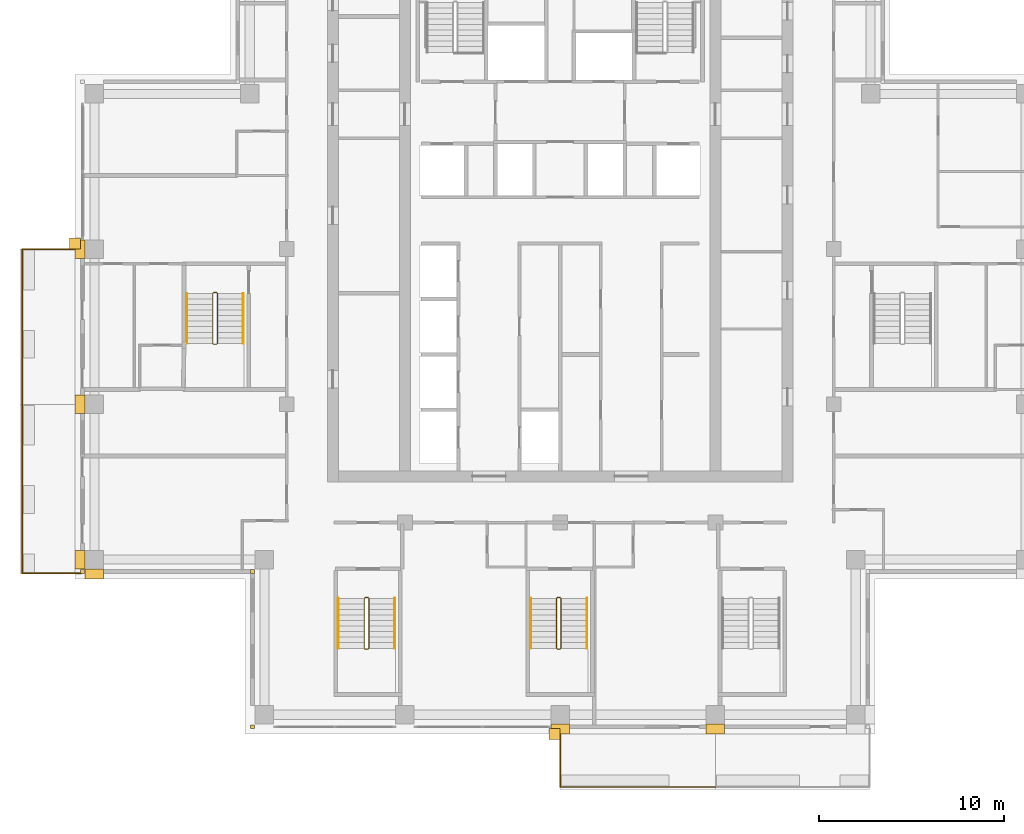
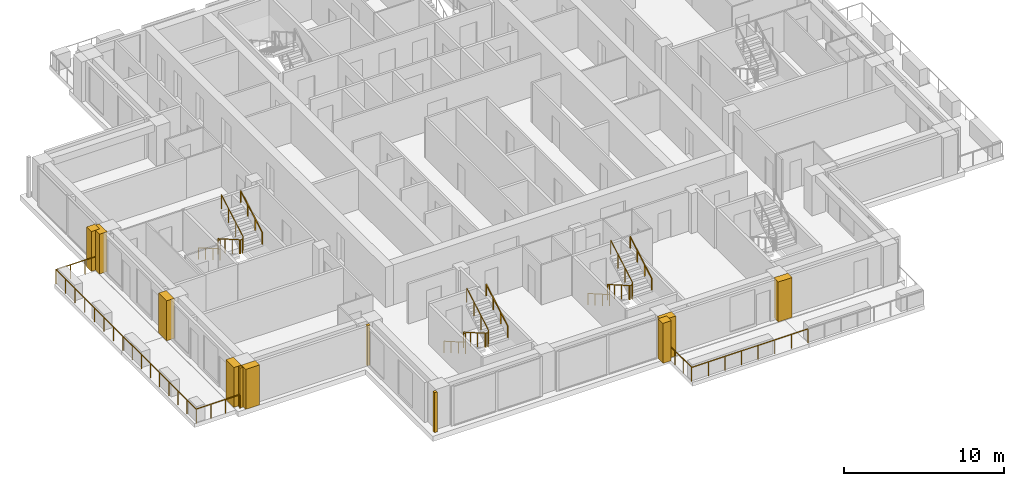
# One storey, part 15 of 17: 12 railings, 11 coverings.
"""IFC4 building model written with IfcOpenShell, lengths in metres."""

from ifc_helpers import new_model, si_unit, direction, frame, origin, origin_2d, place, context, subcontext, project, spatial, polyline, rectangle, outline, extrude, material, type_object, element, save


model = new_model("IFC4")

# Units and contexts
model_context = context("Model", 3, precision=1e-05, world=origin(), true_north=direction((0.0, 1.0)))
body_context = subcontext(model_context, "Body", "Model", "MODEL_VIEW")
ifc_project = project(units=[si_unit("LENGTHUNIT", "METRE"), si_unit("AREAUNIT", "SQUARE_METRE"), si_unit("VOLUMEUNIT", "CUBIC_METRE"), si_unit("PLANEANGLEUNIT", "RADIAN"), si_unit("MASSUNIT", "GRAM", prefix="KILO")], contexts=[model_context])

# Site, building, storey
site_placement = place(None, origin())
site = spatial("IfcSite", under=ifc_project, at=site_placement, CompositionType="ELEMENT")
building_placement = place(site_placement, origin())
building = spatial("IfcBuilding", under=site, at=building_placement, Name="Vermilion Ogive Tower", CompositionType="ELEMENT")
storey_placement = place(building_placement, frame((0.0, 0.0, 203.14990234375)))
storey = spatial("IfcBuildingStorey", under=building, at=storey_placement, Name="L53", CompositionType="ELEMENT", Elevation=203.14990234375)

# Railings
ifc_material_1 = material(Name="Stainless steel and glass", Category="steel")
railing_type_1 = type_object("IfcRailingType", Name="Balcony guard", PredefinedType="GUARDRAIL", material=ifc_material_1)
railing_1_placement = place(storey_placement, frame((0.0, -21.75, -0.039794921875)))
element("IfcRailing", 1, at=railing_1_placement, inside=storey, type_object=railing_type_1, Name="Guard S03", PredefinedType="GUARDRAIL", context=body_context, shape_type="SweptSolid", body=[
    extrude(rectangle(XDim=0.048095703125, YDim=0.048095703125, at=origin_2d()), frame((0.0, 0.0, 1.076171875), z_axis=(0.0, -1.0, 0.0), x_axis=(1.0, 0.0, 0.0)), (0.0, 0.0, 1.0), 3.159912109375),
    extrude(rectangle(XDim=0.048095703125, YDim=0.048095703125, at=origin_2d()), frame((0.0, -3.159912109375, 1.076171875), z_axis=(1.0, 0.0, 0.0), x_axis=(0.0, 1.0, 0.0)), (0.0, 0.0, 1.0), 8.39990234375),
    extrude(rectangle(XDim=0.0419921875, YDim=0.0419921875, at=origin_2d()), origin(), (0.0, 0.0, 1.0), 1.052001953125),
    extrude(rectangle(XDim=0.0419921875, YDim=0.0419921875, at=origin_2d()), frame((0.0, -1.05322265625, 0.0)), (0.0, 0.0, 1.0), 1.052001953125),
    extrude(rectangle(XDim=0.0419921875, YDim=0.0419921875, at=origin_2d()), frame((0.0, -2.106689453125, 0.0)), (0.0, 0.0, 1.0), 1.052001953125),
    extrude(rectangle(XDim=0.0419921875, YDim=0.0419921875, at=origin_2d()), frame((0.0, -3.159912109375, 0.0)), (0.0, 0.0, 1.0), 1.052001953125),
    extrude(rectangle(XDim=0.0419921875, YDim=0.0419921875, at=origin_2d()), frame((1.199951171875, -3.159912109375, 0.0)), (0.0, 0.0, 1.0), 1.052001953125),
    extrude(rectangle(XDim=0.0419921875, YDim=0.0419921875, at=origin_2d()), frame((2.39990234375, -3.159912109375, 0.0)), (0.0, 0.0, 1.0), 1.052001953125),
    extrude(rectangle(XDim=0.0419921875, YDim=0.0419921875, at=origin_2d()), frame((3.599853515625, -3.159912109375, 0.0)), (0.0, 0.0, 1.0), 1.052001953125),
    extrude(rectangle(XDim=0.0419921875, YDim=0.0419921875, at=origin_2d()), frame((4.800048828125, -3.159912109375, 0.0)), (0.0, 0.0, 1.0), 1.052001953125),
    extrude(rectangle(XDim=0.0419921875, YDim=0.0419921875, at=origin_2d()), frame((6.0, -3.159912109375, 0.0)), (0.0, 0.0, 1.0), 1.052001953125),
    extrude(rectangle(XDim=0.0419921875, YDim=0.0419921875, at=origin_2d()), frame((7.199951171875, -3.159912109375, 0.0)), (0.0, 0.0, 1.0), 1.052001953125),
    extrude(rectangle(XDim=0.0419921875, YDim=0.0419921875, at=origin_2d()), frame((8.39990234375, -3.159912109375, 0.0)), (0.0, 0.0, 1.0), 1.052001953125),
])
railing_2_placement = place(storey_placement, frame((-25.949951171875, 4.199951171875, -0.039794921875)))
element("IfcRailing", 2, at=railing_2_placement, inside=storey, type_object=railing_type_1, Name="Guard W02", PredefinedType="GUARDRAIL", context=body_context, shape_type="SweptSolid", body=[
    extrude(rectangle(XDim=0.048095703125, YDim=0.048095703125, at=origin_2d()), frame((0.0, 0.0, 1.076171875), z_axis=(-1.0, 0.0, 0.0), x_axis=(0.0, -1.0, 0.0)), (0.0, 0.0, 1.0), 3.16015625),
    extrude(rectangle(XDim=0.048095703125, YDim=0.048095703125, at=origin_2d()), frame((-3.16015625, 0.0, 1.076171875), z_axis=(0.0, -1.0, 0.0), x_axis=(1.0, 0.0, 0.0)), (0.0, 0.0, 1.0), 8.39990234375),
    extrude(rectangle(XDim=0.0419921875, YDim=0.0419921875, at=origin_2d()), origin(), (0.0, 0.0, 1.0), 1.052001953125),
    extrude(rectangle(XDim=0.0419921875, YDim=0.0419921875, at=origin_2d()), frame((-1.053466796875, 0.0, 0.0)), (0.0, 0.0, 1.0), 1.052001953125),
    extrude(rectangle(XDim=0.0419921875, YDim=0.0419921875, at=origin_2d()), frame((-2.106689453125, 0.0, 0.0)), (0.0, 0.0, 1.0), 1.052001953125),
    extrude(rectangle(XDim=0.0419921875, YDim=0.0419921875, at=origin_2d()), frame((-3.16015625, 0.0, 0.0)), (0.0, 0.0, 1.0), 1.052001953125),
    extrude(rectangle(XDim=0.0419921875, YDim=0.0419921875, at=origin_2d()), frame((-3.16015625, -1.199951171875, 0.0)), (0.0, 0.0, 1.0), 1.052001953125),
    extrude(rectangle(XDim=0.0419921875, YDim=0.0419921875, at=origin_2d()), frame((-3.16015625, -2.39990234375, 0.0)), (0.0, 0.0, 1.0), 1.052001953125),
    extrude(rectangle(XDim=0.0419921875, YDim=0.0419921875, at=origin_2d()), frame((-3.16015625, -3.599853515625, 0.0)), (0.0, 0.0, 1.0), 1.052001953125),
    extrude(rectangle(XDim=0.0419921875, YDim=0.0419921875, at=origin_2d()), frame((-3.16015625, -4.800048828125, 0.0)), (0.0, 0.0, 1.0), 1.052001953125),
    extrude(rectangle(XDim=0.0419921875, YDim=0.0419921875, at=origin_2d()), frame((-3.16015625, -6.0, 0.0)), (0.0, 0.0, 1.0), 1.052001953125),
    extrude(rectangle(XDim=0.0419921875, YDim=0.0419921875, at=origin_2d()), frame((-3.16015625, -7.199951171875, 0.0)), (0.0, 0.0, 1.0), 1.052001953125),
    extrude(rectangle(XDim=0.0419921875, YDim=0.0419921875, at=origin_2d()), frame((-3.16015625, -8.39990234375, 0.0)), (0.0, 0.0, 1.0), 1.052001953125),
])
railing_3_placement = place(storey_placement, frame((-29.110107421875, -4.199951171875, -0.039794921875)))
element("IfcRailing", 3, at=railing_3_placement, inside=storey, type_object=railing_type_1, Name="Guard W03", PredefinedType="GUARDRAIL", context=body_context, shape_type="SweptSolid", body=[
    extrude(rectangle(XDim=0.048095703125, YDim=0.048095703125, at=origin_2d()), frame((0.0, 0.0, 1.076171875), z_axis=(0.0, -1.0, 0.0), x_axis=(1.0, 0.0, 0.0)), (0.0, 0.0, 1.0), 9.150146484375),
    extrude(rectangle(XDim=0.048095703125, YDim=0.048095703125, at=origin_2d()), frame((0.0, -9.150146484375, 1.076171875), z_axis=(1.0, 0.0, 0.0), x_axis=(0.0, 1.0, 0.0)), (0.0, 0.0, 1.0), 3.16015625),
    extrude(rectangle(XDim=0.0419921875, YDim=0.0419921875, at=origin_2d()), origin(), (0.0, 0.0, 1.0), 1.052001953125),
    extrude(rectangle(XDim=0.0419921875, YDim=0.0419921875, at=origin_2d()), frame((0.0, -1.143798828125, 0.0)), (0.0, 0.0, 1.0), 1.052001953125),
    extrude(rectangle(XDim=0.0419921875, YDim=0.0419921875, at=origin_2d()), frame((0.0, -2.28759765625, 0.0)), (0.0, 0.0, 1.0), 1.052001953125),
    extrude(rectangle(XDim=0.0419921875, YDim=0.0419921875, at=origin_2d()), frame((0.0, -3.431396484375, 0.0)), (0.0, 0.0, 1.0), 1.052001953125),
    extrude(rectangle(XDim=0.0419921875, YDim=0.0419921875, at=origin_2d()), frame((0.0, -4.5751953125, 0.0)), (0.0, 0.0, 1.0), 1.052001953125),
    extrude(rectangle(XDim=0.0419921875, YDim=0.0419921875, at=origin_2d()), frame((0.0, -5.71875, 0.0)), (0.0, 0.0, 1.0), 1.052001953125),
    extrude(rectangle(XDim=0.0419921875, YDim=0.0419921875, at=origin_2d()), frame((0.0, -6.862548828125, 0.0)), (0.0, 0.0, 1.0), 1.052001953125),
    extrude(rectangle(XDim=0.0419921875, YDim=0.0419921875, at=origin_2d()), frame((0.0, -8.00634765625, 0.0)), (0.0, 0.0, 1.0), 1.052001953125),
    extrude(rectangle(XDim=0.0419921875, YDim=0.0419921875, at=origin_2d()), frame((0.0, -9.150146484375, 0.0)), (0.0, 0.0, 1.0), 1.052001953125),
    extrude(rectangle(XDim=0.0419921875, YDim=0.0419921875, at=origin_2d()), frame((1.053466796875, -9.150146484375, 0.0)), (0.0, 0.0, 1.0), 1.052001953125),
    extrude(rectangle(XDim=0.0419921875, YDim=0.0419921875, at=origin_2d()), frame((2.106689453125, -9.150146484375, 0.0)), (0.0, 0.0, 1.0), 1.052001953125),
    extrude(rectangle(XDim=0.0419921875, YDim=0.0419921875, at=origin_2d()), frame((3.16015625, -9.150146484375, 0.0)), (0.0, 0.0, 1.0), 1.052001953125),
])
ifc_material_2 = material(Name="Steel S355 painted", Category="steel")
railing_type_2 = type_object("IfcRailingType", Name="Stair guard 1100", PredefinedType="GUARDRAIL", material=ifc_material_2)
railing_4_placement = place(storey_placement, frame((-10.39990234375, -14.64990234375, 0.0)))
element("IfcRailing", 4, at=railing_4_placement, inside=storey, type_object=railing_type_2, Name="L53 ST3 stair guard 4", PredefinedType="GUARDRAIL", context=body_context, shape_type="SweptSolid", body=[
    extrude(rectangle(XDim=0.048095703125, YDim=0.048095703125, at=origin_2d()), frame((0.0, 0.0, 1.076171875), z_axis=(-1.0, 0.0, 0.0), x_axis=(0.0, -1.0, 0.0)), (0.0, 0.0, 1.0), 0.150146484375),
    extrude(rectangle(XDim=0.048095703125, YDim=0.048095703125, at=origin_2d()), frame((-0.150146484375, 0.0, 1.076171875), z_axis=(-0.268277960024, -0.268277960024, 0.925231793839), x_axis=(0.707106781187, -0.707106781187, 0.0)), (0.0, 0.0, 1.0), 0.1865234375),
    extrude(rectangle(XDim=0.048095703125, YDim=0.048095703125, at=origin_2d()), frame((-0.2001953125, -0.050048828125, 1.24853515625), z_axis=(0.0, -0.866903762492, 0.498475542607), x_axis=(1.0, 0.0, 0.0)), (0.0, 0.0, 1.0), 3.114501953125),
    extrude(rectangle(XDim=0.048095703125, YDim=0.048095703125, at=origin_2d()), frame((-0.2001953125, -2.75, 2.80126953125), z_axis=(0.707106781187, -0.707106781187, 0.0), x_axis=(0.707106781187, 0.707106781187, 0.0)), (0.0, 0.0, 1.0), 0.07080078125),
    extrude(rectangle(XDim=0.048095703125, YDim=0.048095703125, at=origin_2d()), frame((-0.150146484375, -2.800048828125, 2.80126953125), z_axis=(1.0, 0.0, 0.0), x_axis=(0.0, 1.0, 0.0)), (0.0, 0.0, 1.0), 0.150146484375),
    extrude(rectangle(XDim=0.048095703125, YDim=0.048095703125, at=origin_2d()), frame((0.0, -2.800048828125, 2.80126953125), z_axis=(0.267062837333, 0.268371968888, 0.925556009775), x_axis=(-0.708833529934, 0.705375805398, 0.0)), (0.0, 0.0, 1.0), 0.1865234375),
    extrude(rectangle(XDim=0.048095703125, YDim=0.048095703125, at=origin_2d()), frame((0.0498046875, -2.75, 2.9736328125), z_axis=(0.0, 0.866903762492, 0.498475542607), x_axis=(-1.0, 0.0, 0.0)), (0.0, 0.0, 1.0), 3.114501953125),
    extrude(rectangle(XDim=0.0419921875, YDim=0.0419921875, at=origin_2d()), origin(), (0.0, 0.0, 1.0), 1.052001953125),
    extrude(rectangle(XDim=0.0419921875, YDim=0.0419921875, at=origin_2d()), frame((-0.150146484375, 0.0, 0.0)), (0.0, 0.0, 1.0), 1.052001953125),
    extrude(rectangle(XDim=0.0419921875, YDim=0.0419921875, at=origin_2d()), frame((-0.2001953125, -0.050048828125, 0.172607421875)), (0.0, 0.0, 1.0), 1.052001953125),
    extrude(rectangle(XDim=0.0419921875, YDim=0.0419921875, at=origin_2d()), frame((-0.2001953125, -0.949951171875, 0.690185546875)), (0.0, 0.0, 1.0), 1.052001953125),
    extrude(rectangle(XDim=0.0419921875, YDim=0.0419921875, at=origin_2d()), frame((-0.2001953125, -1.85009765625, 1.20751953125)), (0.0, 0.0, 1.0), 1.052001953125),
    extrude(rectangle(XDim=0.0419921875, YDim=0.0419921875, at=origin_2d()), frame((-0.2001953125, -2.75, 1.72509765625)), (0.0, 0.0, 1.0), 1.052001953125),
    extrude(rectangle(XDim=0.0419921875, YDim=0.0419921875, at=origin_2d()), frame((-0.150146484375, -2.800048828125, 1.72509765625)), (0.0, 0.0, 1.0), 1.052001953125),
    extrude(rectangle(XDim=0.0419921875, YDim=0.0419921875, at=origin_2d()), frame((0.0, -2.800048828125, 1.72509765625)), (0.0, 0.0, 1.0), 1.052001953125),
    extrude(rectangle(XDim=0.0419921875, YDim=0.0419921875, at=origin_2d()), frame((0.0498046875, -2.75, 1.897705078125)), (0.0, 0.0, 1.0), 1.052001953125),
    extrude(rectangle(XDim=0.0419921875, YDim=0.0419921875, at=origin_2d()), frame((0.0498046875, -1.85009765625, 2.415283203125)), (0.0, 0.0, 1.0), 1.052001953125),
    extrude(rectangle(XDim=0.0419921875, YDim=0.0419921875, at=origin_2d()), frame((0.0498046875, -0.949951171875, 2.9326171875)), (0.0, 0.0, 1.0), 1.052001953125),
    extrude(rectangle(XDim=0.0419921875, YDim=0.0419921875, at=origin_2d()), frame((0.0498046875, -0.050048828125, 3.4501953125)), (0.0, 0.0, 1.0), 1.052001953125),
])
railing_5_placement = place(storey_placement, frame((0.0, -14.64990234375, 0.0)))
element("IfcRailing", 5, at=railing_5_placement, inside=storey, type_object=railing_type_2, Name="L53 ST4 stair guard 4", PredefinedType="GUARDRAIL", context=body_context, shape_type="SweptSolid", body=[
    extrude(rectangle(XDim=0.048095703125, YDim=0.048095703125, at=origin_2d()), frame((0.0, 0.0, 1.076171875), z_axis=(-1.0, 0.0, 0.0), x_axis=(0.0, -1.0, 0.0)), (0.0, 0.0, 1.0), 0.14990234375),
    extrude(rectangle(XDim=0.048095703125, YDim=0.048095703125, at=origin_2d()), frame((-0.14990234375, 0.0, 1.076171875), z_axis=(-0.268277960024, -0.268277960024, 0.925231793839), x_axis=(0.707106781187, -0.707106781187, 0.0)), (0.0, 0.0, 1.0), 0.1865234375),
    extrude(rectangle(XDim=0.048095703125, YDim=0.048095703125, at=origin_2d()), frame((-0.199951171875, -0.050048828125, 1.24853515625), z_axis=(0.0, -0.866903762492, 0.498475542607), x_axis=(1.0, 0.0, 0.0)), (0.0, 0.0, 1.0), 3.114501953125),
    extrude(rectangle(XDim=0.048095703125, YDim=0.048095703125, at=origin_2d()), frame((-0.199951171875, -2.75, 2.80126953125), z_axis=(0.707106781187, -0.707106781187, 0.0), x_axis=(0.707106781187, 0.707106781187, 0.0)), (0.0, 0.0, 1.0), 0.07080078125),
    extrude(rectangle(XDim=0.048095703125, YDim=0.048095703125, at=origin_2d()), frame((-0.14990234375, -2.800048828125, 2.80126953125), z_axis=(1.0, 0.0, 0.0), x_axis=(0.0, 1.0, 0.0)), (0.0, 0.0, 1.0), 0.14990234375),
    extrude(rectangle(XDim=0.048095703125, YDim=0.048095703125, at=origin_2d()), frame((0.0, -2.800048828125, 2.80126953125), z_axis=(0.268277960024, 0.268277960024, 0.925231793839), x_axis=(-0.707106781187, 0.707106781187, 0.0)), (0.0, 0.0, 1.0), 0.1865234375),
    extrude(rectangle(XDim=0.048095703125, YDim=0.048095703125, at=origin_2d()), frame((0.050048828125, -2.75, 2.9736328125), z_axis=(0.0, 0.866903762492, 0.498475542607), x_axis=(-1.0, 0.0, 0.0)), (0.0, 0.0, 1.0), 3.114501953125),
    extrude(rectangle(XDim=0.0419921875, YDim=0.0419921875, at=origin_2d()), origin(), (0.0, 0.0, 1.0), 1.052001953125),
    extrude(rectangle(XDim=0.0419921875, YDim=0.0419921875, at=origin_2d()), frame((-0.14990234375, 0.0, 0.0)), (0.0, 0.0, 1.0), 1.052001953125),
    extrude(rectangle(XDim=0.0419921875, YDim=0.0419921875, at=origin_2d()), frame((-0.199951171875, -0.050048828125, 0.172607421875)), (0.0, 0.0, 1.0), 1.052001953125),
    extrude(rectangle(XDim=0.0419921875, YDim=0.0419921875, at=origin_2d()), frame((-0.199951171875, -0.949951171875, 0.690185546875)), (0.0, 0.0, 1.0), 1.052001953125),
    extrude(rectangle(XDim=0.0419921875, YDim=0.0419921875, at=origin_2d()), frame((-0.199951171875, -1.85009765625, 1.20751953125)), (0.0, 0.0, 1.0), 1.052001953125),
    extrude(rectangle(XDim=0.0419921875, YDim=0.0419921875, at=origin_2d()), frame((-0.199951171875, -2.75, 1.72509765625)), (0.0, 0.0, 1.0), 1.052001953125),
    extrude(rectangle(XDim=0.0419921875, YDim=0.0419921875, at=origin_2d()), frame((-0.14990234375, -2.800048828125, 1.72509765625)), (0.0, 0.0, 1.0), 1.052001953125),
    extrude(rectangle(XDim=0.0419921875, YDim=0.0419921875, at=origin_2d()), frame((0.0, -2.800048828125, 1.72509765625)), (0.0, 0.0, 1.0), 1.052001953125),
    extrude(rectangle(XDim=0.0419921875, YDim=0.0419921875, at=origin_2d()), frame((0.050048828125, -2.75, 1.897705078125)), (0.0, 0.0, 1.0), 1.052001953125),
    extrude(rectangle(XDim=0.0419921875, YDim=0.0419921875, at=origin_2d()), frame((0.050048828125, -1.85009765625, 2.415283203125)), (0.0, 0.0, 1.0), 1.052001953125),
    extrude(rectangle(XDim=0.0419921875, YDim=0.0419921875, at=origin_2d()), frame((0.050048828125, -0.949951171875, 2.9326171875)), (0.0, 0.0, 1.0), 1.052001953125),
    extrude(rectangle(XDim=0.0419921875, YDim=0.0419921875, at=origin_2d()), frame((0.050048828125, -0.050048828125, 3.4501953125)), (0.0, 0.0, 1.0), 1.052001953125),
])
railing_6_placement = place(storey_placement, frame((-18.60009765625, 1.85009765625, 0.0)))
element("IfcRailing", 6, at=railing_6_placement, inside=storey, type_object=railing_type_2, Name="L53 ST9 stair guard 4", PredefinedType="GUARDRAIL", context=body_context, shape_type="SweptSolid", body=[
    extrude(rectangle(XDim=0.048095703125, YDim=0.048095703125, at=origin_2d()), frame((0.0, 0.0, 1.076171875), z_axis=(-1.0, 0.0, 0.0), x_axis=(0.0, -1.0, 0.0)), (0.0, 0.0, 1.0), 0.14990234375),
    extrude(rectangle(XDim=0.048095703125, YDim=0.048095703125, at=origin_2d()), frame((-0.14990234375, 0.0, 1.076171875), z_axis=(-0.268277960024, -0.268277960024, 0.925231793839), x_axis=(0.707106781187, -0.707106781187, 0.0)), (0.0, 0.0, 1.0), 0.1865234375),
    extrude(rectangle(XDim=0.048095703125, YDim=0.048095703125, at=origin_2d()), frame((-0.199951171875, -0.050048828125, 1.24853515625), z_axis=(0.0, -0.866903762492, 0.498475542607), x_axis=(1.0, 0.0, 0.0)), (0.0, 0.0, 1.0), 3.114501953125),
    extrude(rectangle(XDim=0.048095703125, YDim=0.048095703125, at=origin_2d()), frame((-0.199951171875, -2.75, 2.80126953125), z_axis=(0.707106781187, -0.707106781187, 0.0), x_axis=(0.707106781187, 0.707106781187, 0.0)), (0.0, 0.0, 1.0), 0.07080078125),
    extrude(rectangle(XDim=0.048095703125, YDim=0.048095703125, at=origin_2d()), frame((-0.14990234375, -2.800048828125, 2.80126953125), z_axis=(1.0, 0.0, 0.0), x_axis=(0.0, 1.0, 0.0)), (0.0, 0.0, 1.0), 0.14990234375),
    extrude(rectangle(XDim=0.048095703125, YDim=0.048095703125, at=origin_2d()), frame((0.0, -2.800048828125, 2.80126953125), z_axis=(0.268277960024, 0.268277960024, 0.925231793839), x_axis=(-0.707106781187, 0.707106781187, 0.0)), (0.0, 0.0, 1.0), 0.1865234375),
    extrude(rectangle(XDim=0.048095703125, YDim=0.048095703125, at=origin_2d()), frame((0.050048828125, -2.75, 2.9736328125), z_axis=(0.0, 0.866903762492, 0.498475542607), x_axis=(-1.0, 0.0, 0.0)), (0.0, 0.0, 1.0), 3.114501953125),
    extrude(rectangle(XDim=0.0419921875, YDim=0.0419921875, at=origin_2d()), origin(), (0.0, 0.0, 1.0), 1.052001953125),
    extrude(rectangle(XDim=0.0419921875, YDim=0.0419921875, at=origin_2d()), frame((-0.14990234375, 0.0, 0.0)), (0.0, 0.0, 1.0), 1.052001953125),
    extrude(rectangle(XDim=0.0419921875, YDim=0.0419921875, at=origin_2d()), frame((-0.199951171875, -0.050048828125, 0.172607421875)), (0.0, 0.0, 1.0), 1.052001953125),
    extrude(rectangle(XDim=0.0419921875, YDim=0.0419921875, at=origin_2d()), frame((-0.199951171875, -0.949951171875, 0.690185546875)), (0.0, 0.0, 1.0), 1.052001953125),
    extrude(rectangle(XDim=0.0419921875, YDim=0.0419921875, at=origin_2d()), frame((-0.199951171875, -1.85009765625, 1.20751953125)), (0.0, 0.0, 1.0), 1.052001953125),
    extrude(rectangle(XDim=0.0419921875, YDim=0.0419921875, at=origin_2d()), frame((-0.199951171875, -2.75, 1.72509765625)), (0.0, 0.0, 1.0), 1.052001953125),
    extrude(rectangle(XDim=0.0419921875, YDim=0.0419921875, at=origin_2d()), frame((-0.14990234375, -2.800048828125, 1.72509765625)), (0.0, 0.0, 1.0), 1.052001953125),
    extrude(rectangle(XDim=0.0419921875, YDim=0.0419921875, at=origin_2d()), frame((0.0, -2.800048828125, 1.72509765625)), (0.0, 0.0, 1.0), 1.052001953125),
    extrude(rectangle(XDim=0.0419921875, YDim=0.0419921875, at=origin_2d()), frame((0.050048828125, -2.75, 1.897705078125)), (0.0, 0.0, 1.0), 1.052001953125),
    extrude(rectangle(XDim=0.0419921875, YDim=0.0419921875, at=origin_2d()), frame((0.050048828125, -1.85009765625, 2.415283203125)), (0.0, 0.0, 1.0), 1.052001953125),
    extrude(rectangle(XDim=0.0419921875, YDim=0.0419921875, at=origin_2d()), frame((0.050048828125, -0.949951171875, 2.9326171875)), (0.0, 0.0, 1.0), 1.052001953125),
    extrude(rectangle(XDim=0.0419921875, YDim=0.0419921875, at=origin_2d()), frame((0.050048828125, -0.050048828125, 3.4501953125)), (0.0, 0.0, 1.0), 1.052001953125),
])
ifc_material_3 = material(Name="Stainless steel", Category="steel")
railing_type_3 = type_object("IfcRailingType", Name="Stair handrail 900", PredefinedType="HANDRAIL", material=ifc_material_3)
railing_7_placement = place(storey_placement, frame((-12.0, -14.699951171875, 0.172607421875)))
element("IfcRailing", 7, at=railing_7_placement, inside=storey, type_object=railing_type_3, Name="L53 ST3 stair handrail 1", PredefinedType="HANDRAIL", context=body_context, shape_type="SweptSolid", body=[
    extrude(rectangle(XDim=0.048095703125, YDim=0.048095703125, at=origin_2d()), frame((0.0, 0.0, 0.8759765625), z_axis=(0.0, -0.866903762492, 0.498475542607), x_axis=(1.0, 0.0, 0.0)), (0.0, 0.0, 1.0), 3.114501953125),
    extrude(rectangle(XDim=0.0419921875, YDim=0.0419921875, at=origin_2d()), origin(), (0.0, 0.0, 1.0), 0.851806640625),
    extrude(rectangle(XDim=0.0419921875, YDim=0.0419921875, at=origin_2d()), frame((0.0, -0.89990234375, 0.517578125)), (0.0, 0.0, 1.0), 0.851806640625),
    extrude(rectangle(XDim=0.0419921875, YDim=0.0419921875, at=origin_2d()), frame((0.0, -1.800048828125, 1.034912109375)), (0.0, 0.0, 1.0), 0.851806640625),
    extrude(rectangle(XDim=0.0419921875, YDim=0.0419921875, at=origin_2d()), frame((0.0, -2.699951171875, 1.552490234375)), (0.0, 0.0, 1.0), 0.851806640625),
])
railing_8_placement = place(storey_placement, frame((-8.949951171875, -17.39990234375, 1.897705078125)))
element("IfcRailing", 8, at=railing_8_placement, inside=storey, type_object=railing_type_3, Name="L53 ST3 stair handrail 2", PredefinedType="HANDRAIL", context=body_context, shape_type="SweptSolid", body=[
    extrude(rectangle(XDim=0.048095703125, YDim=0.048095703125, at=origin_2d()), frame((0.0, 0.0, 0.8759765625), z_axis=(0.0, 0.866903762492, 0.498475542607), x_axis=(-1.0, 0.0, 0.0)), (0.0, 0.0, 1.0), 3.114501953125),
    extrude(rectangle(XDim=0.0419921875, YDim=0.0419921875, at=origin_2d()), origin(), (0.0, 0.0, 1.0), 0.851806640625),
    extrude(rectangle(XDim=0.0419921875, YDim=0.0419921875, at=origin_2d()), frame((0.0, 0.89990234375, 0.517578125)), (0.0, 0.0, 1.0), 0.851806640625),
    extrude(rectangle(XDim=0.0419921875, YDim=0.0419921875, at=origin_2d()), frame((0.0, 1.800048828125, 1.034912109375)), (0.0, 0.0, 1.0), 0.851806640625),
    extrude(rectangle(XDim=0.0419921875, YDim=0.0419921875, at=origin_2d()), frame((0.0, 2.699951171875, 1.552490234375)), (0.0, 0.0, 1.0), 0.851806640625),
])
railing_9_placement = place(storey_placement, frame((-1.60009765625, -14.699951171875, 0.172607421875)))
element("IfcRailing", 9, at=railing_9_placement, inside=storey, type_object=railing_type_3, Name="L53 ST4 stair handrail 1", PredefinedType="HANDRAIL", context=body_context, shape_type="SweptSolid", body=[
    extrude(rectangle(XDim=0.048095703125, YDim=0.048095703125, at=origin_2d()), frame((0.0, 0.0, 0.8759765625), z_axis=(0.0, -0.866903762492, 0.498475542607), x_axis=(1.0, 0.0, 0.0)), (0.0, 0.0, 1.0), 3.114501953125),
    extrude(rectangle(XDim=0.0419921875, YDim=0.0419921875, at=origin_2d()), origin(), (0.0, 0.0, 1.0), 0.851806640625),
    extrude(rectangle(XDim=0.0419921875, YDim=0.0419921875, at=origin_2d()), frame((0.0, -0.89990234375, 0.517578125)), (0.0, 0.0, 1.0), 0.851806640625),
    extrude(rectangle(XDim=0.0419921875, YDim=0.0419921875, at=origin_2d()), frame((0.0, -1.800048828125, 1.034912109375)), (0.0, 0.0, 1.0), 0.851806640625),
    extrude(rectangle(XDim=0.0419921875, YDim=0.0419921875, at=origin_2d()), frame((0.0, -2.699951171875, 1.552490234375)), (0.0, 0.0, 1.0), 0.851806640625),
])
railing_10_placement = place(storey_placement, frame((1.449951171875, -17.39990234375, 1.897705078125)))
element("IfcRailing", 10, at=railing_10_placement, inside=storey, type_object=railing_type_3, Name="L53 ST4 stair handrail 2", PredefinedType="HANDRAIL", context=body_context, shape_type="SweptSolid", body=[
    extrude(rectangle(XDim=0.048095703125, YDim=0.048095703125, at=origin_2d()), frame((0.0, 0.0, 0.8759765625), z_axis=(0.0, 0.866903762492, 0.498475542607), x_axis=(-1.0, 0.0, 0.0)), (0.0, 0.0, 1.0), 3.114501953125),
    extrude(rectangle(XDim=0.0419921875, YDim=0.0419921875, at=origin_2d()), origin(), (0.0, 0.0, 1.0), 0.851806640625),
    extrude(rectangle(XDim=0.0419921875, YDim=0.0419921875, at=origin_2d()), frame((0.0, 0.89990234375, 0.517578125)), (0.0, 0.0, 1.0), 0.851806640625),
    extrude(rectangle(XDim=0.0419921875, YDim=0.0419921875, at=origin_2d()), frame((0.0, 1.800048828125, 1.034912109375)), (0.0, 0.0, 1.0), 0.851806640625),
    extrude(rectangle(XDim=0.0419921875, YDim=0.0419921875, at=origin_2d()), frame((0.0, 2.699951171875, 1.552490234375)), (0.0, 0.0, 1.0), 0.851806640625),
])
railing_11_placement = place(storey_placement, frame((-20.199951171875, 1.800048828125, 0.172607421875)))
element("IfcRailing", 11, at=railing_11_placement, inside=storey, type_object=railing_type_3, Name="L53 ST9 stair handrail 1", PredefinedType="HANDRAIL", context=body_context, shape_type="SweptSolid", body=[
    extrude(rectangle(XDim=0.048095703125, YDim=0.048095703125, at=origin_2d()), frame((0.0, 0.0, 0.8759765625), z_axis=(0.0, -0.866903762492, 0.498475542607), x_axis=(1.0, 0.0, 0.0)), (0.0, 0.0, 1.0), 3.114501953125),
    extrude(rectangle(XDim=0.0419921875, YDim=0.0419921875, at=origin_2d()), origin(), (0.0, 0.0, 1.0), 0.851806640625),
    extrude(rectangle(XDim=0.0419921875, YDim=0.0419921875, at=origin_2d()), frame((0.0, -0.89990234375, 0.517578125)), (0.0, 0.0, 1.0), 0.851806640625),
    extrude(rectangle(XDim=0.0419921875, YDim=0.0419921875, at=origin_2d()), frame((0.0, -1.800048828125, 1.034912109375)), (0.0, 0.0, 1.0), 0.851806640625),
    extrude(rectangle(XDim=0.0419921875, YDim=0.0419921875, at=origin_2d()), frame((0.0, -2.699951171875, 1.552490234375)), (0.0, 0.0, 1.0), 0.851806640625),
])
railing_12_placement = place(storey_placement, frame((-17.14990234375, -0.89990234375, 1.897705078125)))
element("IfcRailing", 12, at=railing_12_placement, inside=storey, type_object=railing_type_3, Name="L53 ST9 stair handrail 2", PredefinedType="HANDRAIL", context=body_context, shape_type="SweptSolid", body=[
    extrude(rectangle(XDim=0.048095703125, YDim=0.048095703125, at=origin_2d()), frame((0.0, 0.0, 0.8759765625), z_axis=(0.0, 0.866903762492, 0.498475542607), x_axis=(-1.0, 0.0, 0.0)), (0.0, 0.0, 1.0), 3.114501953125),
    extrude(rectangle(XDim=0.0419921875, YDim=0.0419921875, at=origin_2d()), origin(), (0.0, 0.0, 1.0), 0.851806640625),
    extrude(rectangle(XDim=0.0419921875, YDim=0.0419921875, at=origin_2d()), frame((0.0, 0.89990234375, 0.517578125)), (0.0, 0.0, 1.0), 0.851806640625),
    extrude(rectangle(XDim=0.0419921875, YDim=0.0419921875, at=origin_2d()), frame((0.0, 1.800048828125, 1.034912109375)), (0.0, 0.0, 1.0), 0.851806640625),
    extrude(rectangle(XDim=0.0419921875, YDim=0.0419921875, at=origin_2d()), frame((0.0, 2.699951171875, 1.552490234375)), (0.0, 0.0, 1.0), 0.851806640625),
])

# Coverings
ifc_material_4 = material(Name="Stone cladding", Category="masonry")
covering_type_1 = type_object("IfcCoveringType", Name="Stone corner buttress", PredefinedType="CLADDING", material=ifc_material_4)
covering_1_placement = place(storey_placement, origin())
element("IfcCovering", 13, at=covering_1_placement, inside=storey, type_object=covering_type_1, Name="Stone crease pier SK", PredefinedType="CLADDING", context=body_context, shape_type="SweptSolid", body=[
    extrude(outline(polyline([(-0.60009765625, -22.35009765625), (0.0, -22.35009765625), (0.0, -21.75), (-0.60009765625, -21.75), (-0.60009765625, -22.35009765625)])), origin(), (0.0, 0.0, 1.0), 3.050048828125),
])
covering_2_placement = place(storey_placement, origin())
element("IfcCovering", 14, at=covering_2_placement, inside=storey, type_object=covering_type_1, Name="Stone crease pier WK", PredefinedType="CLADDING", context=body_context, shape_type="SweptSolid", body=[
    extrude(outline(polyline([(-26.550048828125, 4.800048828125), (-26.550048828125, 4.199951171875), (-25.949951171875, 4.199951171875), (-25.949951171875, 4.800048828125), (-26.550048828125, 4.800048828125)])), origin(), (0.0, 0.0, 1.0), 3.050048828125),
])
ifc_material_5 = material(Name="Stone cladding", Category="masonry")
covering_type_2 = type_object("IfcCoveringType", Name="Stone pier", PredefinedType="CLADDING", material=ifc_material_5)
covering_3_placement = place(storey_placement, origin())
element("IfcCovering", 15, at=covering_3_placement, inside=storey, type_object=covering_type_2, Name="Stone corner pier WE1", PredefinedType="CLADDING", context=body_context, shape_type="SweptSolid", body=[
    extrude(outline(polyline([(-25.75, -13.14990234375), (-25.75, -13.35009765625), (-25.949951171875, -13.35009765625), (-25.949951171875, -13.14990234375), (-25.75, -13.14990234375)])), origin(), (0.0, 0.0, 1.0), 3.050048828125),
])
covering_4_placement = place(storey_placement, origin())
element("IfcCovering", 16, at=covering_4_placement, inside=storey, type_object=covering_type_2, Name="Stone corner pier X7E1", PredefinedType="CLADDING", context=body_context, shape_type="SweptSolid", body=[
    extrude(outline(polyline([(-16.550048828125, -13.14990234375), (-16.550048828125, -13.35009765625), (-16.75, -13.35009765625), (-16.75, -13.14990234375), (-16.550048828125, -13.14990234375)])), origin(), (0.0, 0.0, 1.0), 3.050048828125),
])
covering_5_placement = place(storey_placement, origin())
element("IfcCovering", 17, at=covering_5_placement, inside=storey, type_object=covering_type_2, Name="Stone corner pier X8E1", PredefinedType="CLADDING", context=body_context, shape_type="SweptSolid", body=[
    extrude(outline(polyline([(-16.550048828125, -21.550048828125), (-16.550048828125, -21.75), (-16.75, -21.75), (-16.75, -21.550048828125), (-16.550048828125, -21.550048828125)])), origin(), (0.0, 0.0, 1.0), 3.050048828125),
])
covering_6_placement = place(storey_placement, origin())
element("IfcCovering", 18, at=covering_6_placement, inside=storey, type_object=covering_type_2, Name="Stone pier P+0000-210", PredefinedType="CLADDING", context=body_context, shape_type="SweptSolid", body=[
    extrude(outline(polyline([(0.5, -22.050048828125), (0.0, -22.050048828125), (0.0, -21.75), (-0.5, -21.75), (-0.5, -21.5), (0.5, -21.5), (0.5, -22.050048828125)])), origin(), (0.0, 0.0, 1.0), 3.050048828125),
])
covering_7_placement = place(storey_placement, origin())
element("IfcCovering", 19, at=covering_7_placement, inside=storey, type_object=covering_type_2, Name="Stone pier P+0084-210", PredefinedType="CLADDING", context=body_context, shape_type="SweptSolid", body=[
    extrude(outline(polyline([(8.89990234375, -21.5), (8.89990234375, -22.050048828125), (7.89990234375, -22.050048828125), (7.89990234375, -21.5), (7.89990234375, -21.5), (8.89990234375, -21.5)])), origin(), (0.0, 0.0, 1.0), 3.050048828125),
])
covering_8_placement = place(storey_placement, origin())
element("IfcCovering", 20, at=covering_8_placement, inside=storey, type_object=covering_type_2, Name="Stone pier P-0252+042", PredefinedType="CLADDING", context=body_context, shape_type="SweptSolid", body=[
    extrude(outline(polyline([(-25.699951171875, 3.699951171875), (-26.25, 3.699951171875), (-26.25, 4.199951171875), (-25.949951171875, 4.199951171875), (-25.949951171875, 4.699951171875), (-25.699951171875, 4.699951171875), (-25.699951171875, 4.699951171875), (-25.699951171875, 3.699951171875)])), origin(), (0.0, 0.0, 1.0), 3.050048828125),
])
covering_9_placement = place(storey_placement, origin())
element("IfcCovering", 21, at=covering_9_placement, inside=storey, type_object=covering_type_2, Name="Stone pier P-0252-042", PredefinedType="CLADDING", context=body_context, shape_type="SweptSolid", body=[
    extrude(outline(polyline([(-25.699951171875, -4.699951171875), (-26.25, -4.699951171875), (-26.25, -3.699951171875), (-25.699951171875, -3.699951171875), (-25.699951171875, -4.699951171875), (-25.699951171875, -4.699951171875)])), origin(), (0.0, 0.0, 1.0), 3.050048828125),
])
covering_10_placement = place(storey_placement, origin())
element("IfcCovering", 22, at=covering_10_placement, inside=storey, type_object=covering_type_2, Name="Stone pier P-0252-126W", PredefinedType="CLADDING", context=body_context, shape_type="SweptSolid", body=[
    extrude(outline(polyline([(-26.25, -13.10009765625), (-26.25, -12.10009765625), (-25.699951171875, -12.10009765625), (-25.699951171875, -13.10009765625), (-26.25, -13.10009765625)])), origin(), (0.0, 0.0, 1.0), 3.050048828125),
])
covering_11_placement = place(storey_placement, origin())
element("IfcCovering", 23, at=covering_11_placement, inside=storey, type_object=covering_type_2, Name="Stone pier P-0252-126X7", PredefinedType="CLADDING", context=body_context, shape_type="SweptSolid", body=[
    extrude(outline(polyline([(-25.699951171875, -13.64990234375), (-25.699951171875, -13.10009765625), (-24.699951171875, -13.10009765625), (-24.699951171875, -13.64990234375), (-25.699951171875, -13.64990234375)])), origin(), (0.0, 0.0, 1.0), 3.050048828125),
])

save(model, "model.ifc")
